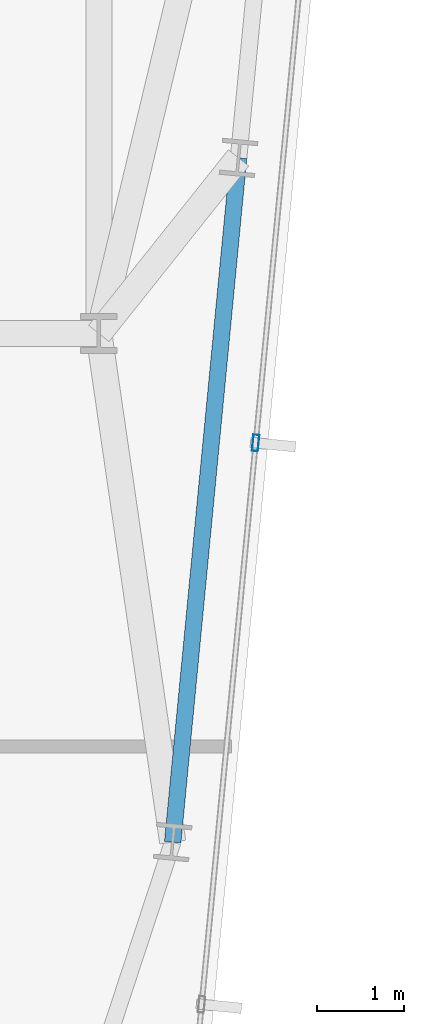
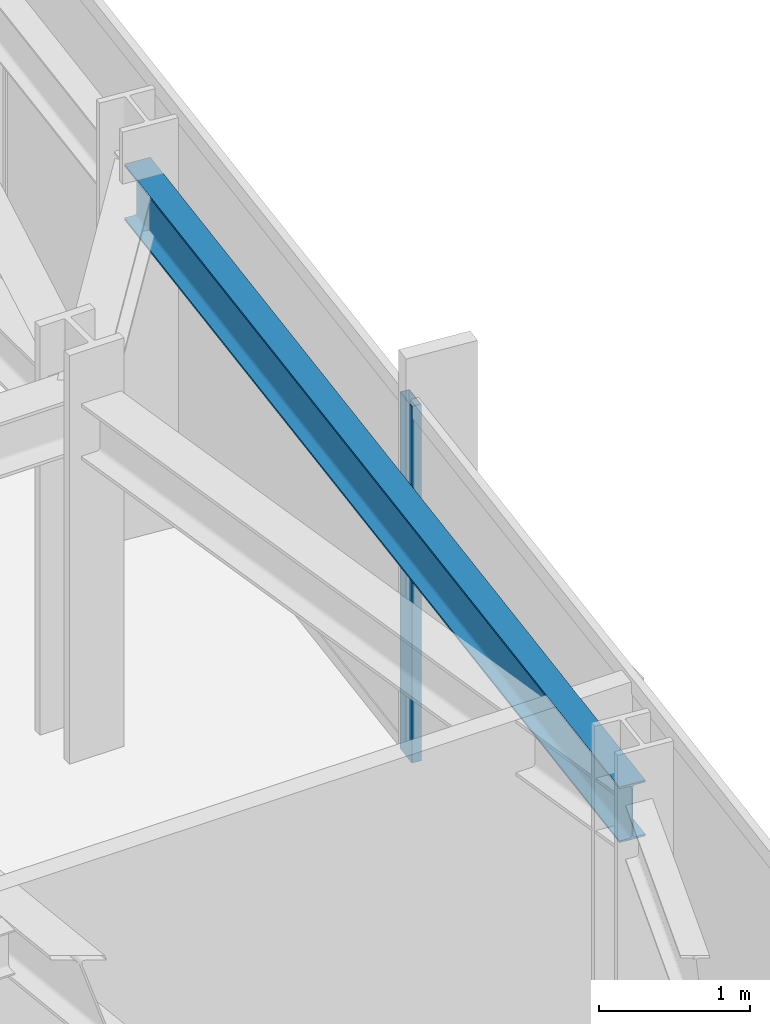
# One storey, part 16 of 37: 1 beam, 1 member, 1 element without a shape of its own.
"""IFC4 building model written with IfcOpenShell, lengths in metres."""

from ifc_helpers import new_model, si_unit, direction, frame, origin, origin_2d, place, context, subcontext, project, spatial, hollow_rectangle, i_section, extrude, material, material_profile, profile_set, type_object, element, aggregate, save


model = new_model("IFC4")

# Units and contexts
model_context = context("Model", 3, precision=1e-05, world=origin(), true_north=direction((0.0, 1.0)))
body_context = subcontext(model_context, "Body", "Model", "MODEL_VIEW")
ifc_project = project(units=[si_unit("LENGTHUNIT", "METRE"), si_unit("AREAUNIT", "SQUARE_METRE"), si_unit("VOLUMEUNIT", "CUBIC_METRE"), si_unit("PLANEANGLEUNIT", "RADIAN"), si_unit("MASSUNIT", "GRAM", prefix="KILO")], contexts=[model_context])

# Site, building, storey
site_placement = place(None, origin())
site = spatial("IfcSite", under=ifc_project, at=site_placement, CompositionType="ELEMENT")
building_placement = place(site_placement, origin())
building = spatial("IfcBuilding", under=site, at=building_placement, Name="Yelkora Congress Tower", CompositionType="ELEMENT")
storey_placement = place(building_placement, frame((0.0, 0.0, 188.60009765625)))
storey = spatial("IfcBuildingStorey", under=building, at=storey_placement, Name="L52", CompositionType="ELEMENT", Elevation=188.60009765625)

# Beam
ifc_material_1 = material(Name="Steel S355J2", Category="steel")
ifc_material_profile_1 = material_profile(ifc_material_1, i_section(OverallWidth=0.18994140625, OverallDepth=0.449951171875, WebThickness=0.009521484375, FlangeThickness=0.0146484375, FilletRadius=0.02099609375, at=origin_2d()), Name="IPE 450")
ifc_profile_set_1 = profile_set([ifc_material_profile_1], Name="Steel S355J2")
beam_type = type_object("IfcBeamType", Name="BM-SPAN-IPE450", PredefinedType="SPANDREL", material=ifc_profile_set_1)
beam_placement = place(storey_placement, frame((58.44921875, 19.353759765625, 2.65478515625), z_axis=(0.095831353931, 0.995397584689, 0.0), x_axis=(-0.995397584689, 0.095831353931, 0.0)))
element("IfcBeam", 1, at=beam_placement, inside=storey, type_object=beam_type, Name="L52 Perimeter Beam 10", PredefinedType="SPANDREL", context=body_context, shape_type="SweptSolid", body=[
    extrude(i_section(OverallWidth=0.18994140625, OverallDepth=0.449951171875, WebThickness=0.009521484375, FlangeThickness=0.0146484375, FilletRadius=0.02099609375, at=origin_2d()), origin(), (0.0, 0.0, 1.0), 7.900146484375),
])

# Curtain wall, member
ifc_material_2 = material(Name="Anodised aluminium and insulated glass", Category="aluminium")
curtain_wall_type = type_object("IfcCurtainWallType", Name="CW-SYS-B3", PredefinedType="NOTDEFINED", material=ifc_material_2)
curtain_wall_placement = place(storey_placement, origin())
curtain_wall = element("IfcCurtainWall", 2, at=curtain_wall_placement, inside=storey, type_object=curtain_wall_type, Name="L52 Unitised Curtain Wall 15", PredefinedType="NOTDEFINED")
ifc_material_3 = material(Name="Anodised aluminium 6063-T6", Category="aluminium")
ifc_material_profile_2 = material_profile(ifc_material_3, hollow_rectangle(XDim=0.070068359375, YDim=0.18994140625, WallThickness=0.00390625, at=origin_2d()), Name="ALU 70x190x4")
ifc_profile_set_2 = profile_set([ifc_material_profile_2], Name="Anodised aluminium 6063-T6")
member_type = type_object("IfcMemberType", Name="MEM-ML-B3", PredefinedType="MULLION", material=ifc_profile_set_2)
member_placement = place(storey_placement, frame((59.4033203125, 23.94140625, 0.0), z_axis=(0.0, 0.0, 1.0), x_axis=(0.995396565076, -0.095841944023, 0.0)))
member = element("IfcMember", 3, at=member_placement, type_object=member_type, Name="CW-B3 mullion 4", PredefinedType="MULLION", context=body_context, shape_type="SweptSolid", body=[
    extrude(hollow_rectangle(XDim=0.070068359375, YDim=0.18994140625, WallThickness=0.00390625, at=origin_2d()), origin(), (0.0, 0.0, 1.0), 2.8798828125),
])
aggregate(curtain_wall, [member])

save(model, "model.ifc")
